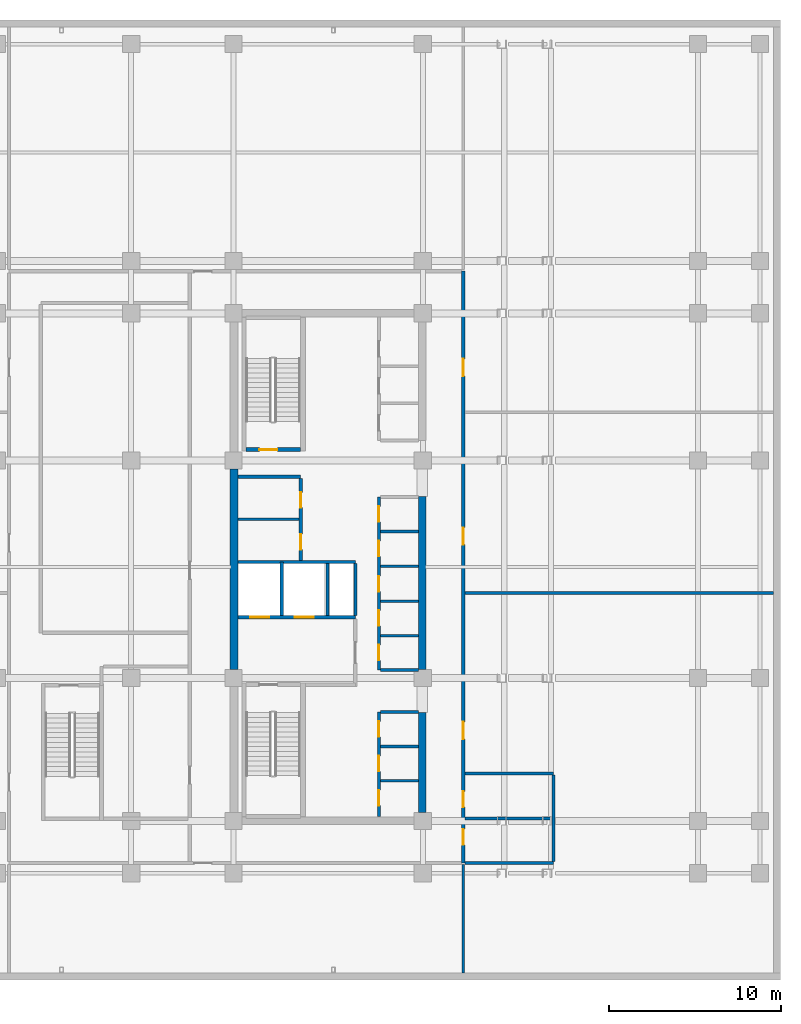
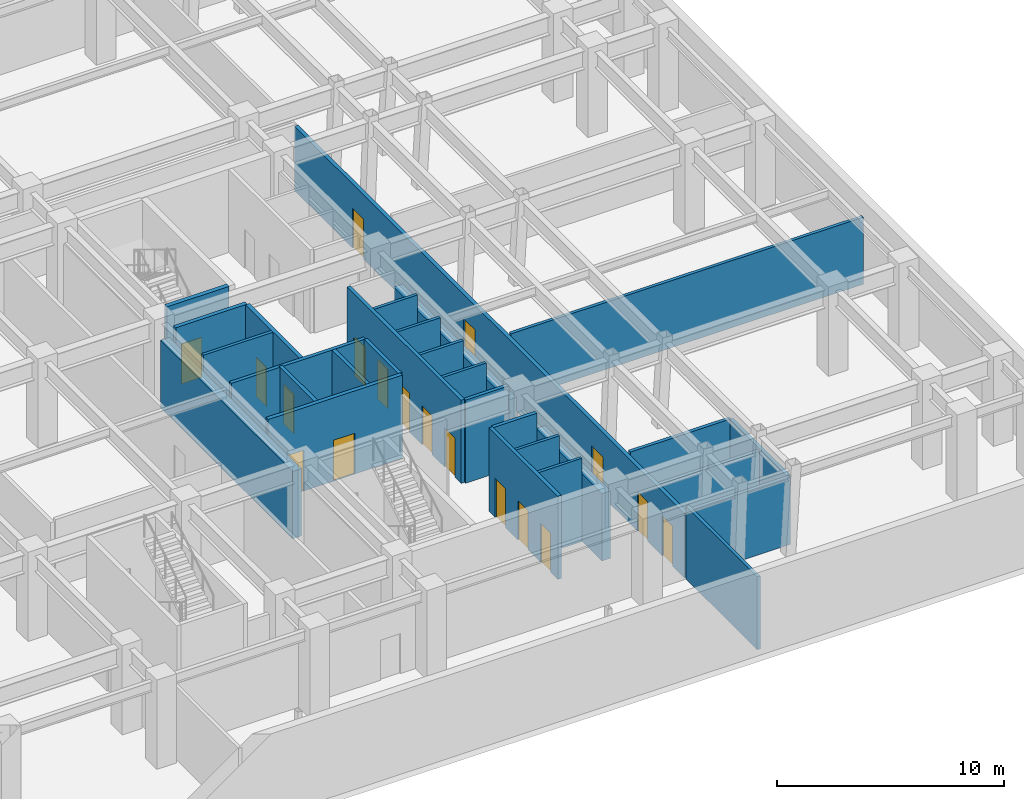
# One storey, part 7 of 9: 29 walls, 18 doors, 18 openings.
"""IFC4 building model written with IfcOpenShell, lengths in metres."""

from ifc_helpers import new_model, si_unit, direction, frame, frame_2d, origin, place, context, subcontext, project, spatial, rectangle, extrude, material, layer, layer_set, type_object, element, fill, save


model = new_model("IFC4")

# Units and contexts
model_context = context("Model", 3, precision=1e-05, world=origin(), true_north=direction((0.0, 1.0)))
body_context = subcontext(model_context, "Body", "Model", "MODEL_VIEW")
ifc_project = project(units=[si_unit("LENGTHUNIT", "METRE"), si_unit("AREAUNIT", "SQUARE_METRE"), si_unit("VOLUMEUNIT", "CUBIC_METRE"), si_unit("PLANEANGLEUNIT", "RADIAN"), si_unit("MASSUNIT", "GRAM", prefix="KILO")], contexts=[model_context])

# Site, building, storey
site_placement = place(None, origin())
site = spatial("IfcSite", under=ifc_project, at=site_placement, CompositionType="ELEMENT")
building_placement = place(site_placement, origin())
building = spatial("IfcBuilding", under=site, at=building_placement, Name="Ochreholt Gables", CompositionType="ELEMENT")
storey_placement = place(building_placement, frame((0.0, 0.0, -4.800048828125)))
storey = spatial("IfcBuildingStorey", under=building, at=storey_placement, Name="B1", CompositionType="ELEMENT", Elevation=-4.800048828125)

# Walls
ifc_material_1 = material(Name="Concrete 60 MPa", Category="concrete")
ifc_layer_1 = layer(ifc_material_1, 0.449951171875, Name="Concrete 60 MPa")
ifc_layer_set_1 = layer_set([ifc_layer_1], Name="Concrete 60 MPa")
wall_type_1 = type_object("IfcWallType", Name="WALL-CSW-450", PredefinedType="SHEAR", material=ifc_layer_set_1)
wall_1_placement = place(storey_placement, frame((24.22509765625, 18.050048828125, 0.0), z_axis=(0.0, 0.0, 1.0), x_axis=(0.0, 1.0, 0.0)))
element("IfcWall", 1, at=wall_1_placement, inside=storey, type_object=wall_type_1, Name="B1 Core West Shear Wall WM", PredefinedType="SHEAR", context=body_context, shape_type="SweptSolid", body=[
    extrude(rectangle(XDim=11.64990234375, YDim=0.449951171875, at=frame_2d((5.824951171875, 0.0))), origin(), (0.0, 0.0, 1.0), 3.629150390625),
])
wall_2_placement = place(storey_placement, frame((35.175048828125, 9.75, 0.0), z_axis=(0.0, 0.0, 1.0), x_axis=(0.0, 1.0, 0.0)))
element("IfcWall", 2, at=wall_2_placement, inside=storey, type_object=wall_type_1, Name="B1 Core South-East Shear Wall", PredefinedType="SHEAR", context=body_context, shape_type="SweptSolid", body=[
    extrude(rectangle(XDim=5.800048828125, YDim=0.449951171875, at=frame_2d((2.89990234375, 0.0))), origin(), (0.0, 0.0, 1.0), 3.629150390625),
])
wall_3_placement = place(storey_placement, frame((35.175048828125, 18.050048828125, 0.0), z_axis=(0.0, 0.0, 1.0), x_axis=(0.0, 1.0, 0.0)))
element("IfcWall", 3, at=wall_3_placement, inside=storey, type_object=wall_type_1, Name="B1 Core Central-East Shear Wall", PredefinedType="SHEAR", context=body_context, shape_type="SweptSolid", body=[
    extrude(rectangle(XDim=10.050048828125, YDim=0.449951171875, at=frame_2d((5.02490234375, 0.0))), origin(), (0.0, 0.0, 1.0), 3.629150390625),
])

# Wall, openings, doors
ifc_material_2 = material(Name="Concrete 40 MPa", Category="concrete")
ifc_layer_2 = layer(ifc_material_2, 0.199951171875, Name="Concrete 40 MPa")
ifc_layer_set_2 = layer_set([ifc_layer_2], Name="Concrete 40 MPa")
wall_type_2 = type_object("IfcWallType", Name="WALL-INT-CF200", PredefinedType="STANDARD", material=ifc_layer_set_2)
wall_4_placement = place(storey_placement, frame((24.449951171875, 21.090087890625, 0.0), z_axis=(0.0, 0.0, 1.0), x_axis=(1.0, 0.0, 0.0)))
wall_4 = element("IfcWall", 4, at=wall_4_placement, inside=storey, type_object=wall_type_2, Name="B1 Interior Wall WI-FFN-B1", PredefinedType="STANDARD", context=body_context, shape_type="SweptSolid", body=[
    extrude(rectangle(XDim=6.830078125, YDim=0.199951171875, at=frame_2d((3.4150390625, 0.0))), origin(), (0.0, 0.0, 1.0), 4.47998046875),
])
opening_1_placement = place(wall_4_placement, frame((0.719970703125, 0.0, 0.0)))
opening_1 = element("IfcOpeningElement", 5, at=opening_1_placement, cuts=wall_4, Name="Opening LD-FF", PredefinedType="OPENING", context=body_context, shape_type="SweptSolid", body=[
    extrude(rectangle(XDim=1.10009765625, YDim=2.199951171875, at=frame_2d((0.550048828125, 1.10009765625))), frame((0.0, 0.10986328125, 0.0), z_axis=(0.0, -1.0, 0.0), x_axis=(1.0, 0.0, 0.0)), (0.0, 0.0, 1.0), 0.219970703125),
])
opening_2_placement = place(wall_4_placement, frame((3.320068359375, 0.0, 0.0)))
opening_2 = element("IfcOpeningElement", 6, at=opening_2_placement, cuts=wall_4, Name="Opening LD-FF", PredefinedType="OPENING", context=body_context, shape_type="SweptSolid", body=[
    extrude(rectangle(XDim=1.10009765625, YDim=2.199951171875, at=frame_2d((0.550048828125, 1.10009765625))), frame((0.0, 0.10986328125, 0.0), z_axis=(0.0, -1.0, 0.0), x_axis=(1.0, 0.0, 0.0)), (0.0, 0.0, 1.0), 0.219970703125),
])
ifc_material_3 = material(Name="Stainless Steel", Category="steel")
door_type_1 = type_object("IfcDoorType", Name="DR-LFT-FF1100", OperationType="NOTDEFINED", PredefinedType="DOOR", material=ifc_material_3)
door_1_placement = place(opening_1_placement, origin())
door_1 = element("IfcDoor", 7, at=door_1_placement, inside=storey, type_object=door_type_1, Name="B1 Door LD-FF1-B1", OperationType="SLIDING_TO_LEFT", OverallHeight=2.199951171875, OverallWidth=1.10009765625, PredefinedType="DOOR", context=body_context, shape_type="SweptSolid", body=[
    extrude(rectangle(XDim=1.10009765625, YDim=2.199951171875, at=frame_2d((0.550048828125, 1.10009765625))), frame((0.0, 0.02490234375, 0.0), z_axis=(0.0, -1.0, 0.0), x_axis=(1.0, 0.0, 0.0)), (0.0, 0.0, 1.0), 0.050048828125),
])
fill(opening_1, door_1)
door_2_placement = place(opening_2_placement, origin())
door_2 = element("IfcDoor", 8, at=door_2_placement, inside=storey, type_object=door_type_1, Name="B1 Door LD-FF2-B1", OperationType="SLIDING_TO_LEFT", OverallHeight=2.199951171875, OverallWidth=1.10009765625, PredefinedType="DOOR", context=body_context, shape_type="SweptSolid", body=[
    extrude(rectangle(XDim=1.10009765625, YDim=2.199951171875, at=frame_2d((0.550048828125, 1.10009765625))), frame((0.0, 0.02490234375, 0.0), z_axis=(0.0, -1.0, 0.0), x_axis=(1.0, 0.0, 0.0)), (0.0, 0.0, 1.0), 0.050048828125),
])
fill(opening_2, door_2)

# Wall
wall_5_placement = place(storey_placement, frame((24.449951171875, 29.239990234375, 0.0), z_axis=(0.0, 0.0, 1.0), x_axis=(1.0, 0.0, 0.0)))
element("IfcWall", 9, at=wall_5_placement, inside=storey, type_object=wall_type_2, Name="B1 Interior Wall WI-SRVN-B1", PredefinedType="STANDARD", context=body_context, shape_type="SweptSolid", body=[
    extrude(rectangle(XDim=3.650146484375, YDim=0.199951171875, at=frame_2d((1.8251953125, 0.0))), origin(), (0.0, 0.0, 1.0), 4.47998046875),
])

# Wall, openings, doors
wall_6_placement = place(storey_placement, frame((28.10009765625, 24.389892578125, 0.0), z_axis=(0.0, 0.0, 1.0), x_axis=(0.0, 1.0, 0.0)))
wall_6 = element("IfcWall", 10, at=wall_6_placement, inside=storey, type_object=wall_type_2, Name="B1 Interior Wall WI-SRVE-B1", PredefinedType="STANDARD", context=body_context, shape_type="SweptSolid", body=[
    extrude(rectangle(XDim=4.75, YDim=0.199951171875, at=frame_2d((2.375, 0.0))), origin(), (0.0, 0.0, 1.0), 4.47998046875),
])
opening_3_placement = place(wall_6_placement, frame((0.6298828125, 0.0, 0.0)))
opening_3 = element("IfcOpeningElement", 11, at=opening_3_placement, cuts=wall_6, Name="Opening D-SV1", PredefinedType="OPENING", context=body_context, shape_type="SweptSolid", body=[
    extrude(rectangle(XDim=0.89990234375, YDim=2.10009765625, at=frame_2d((0.449951171875, 1.050048828125))), frame((0.0, 0.10986328125, 0.0), z_axis=(0.0, -1.0, 0.0), x_axis=(1.0, 0.0, 0.0)), (0.0, 0.0, 1.0), 0.219970703125),
])
opening_4_placement = place(wall_6_placement, frame((3.06005859375, 0.0, 0.0)))
opening_4 = element("IfcOpeningElement", 12, at=opening_4_placement, cuts=wall_6, Name="Opening D-SV1", PredefinedType="OPENING", context=body_context, shape_type="SweptSolid", body=[
    extrude(rectangle(XDim=0.89990234375, YDim=2.10009765625, at=frame_2d((0.449951171875, 1.050048828125))), frame((0.0, 0.10986328125, 0.0), z_axis=(0.0, -1.0, 0.0), x_axis=(1.0, 0.0, 0.0)), (0.0, 0.0, 1.0), 0.219970703125),
])
ifc_material_4 = material(Name="Hollow Metal Steel", Category="steel")
door_type_2 = type_object("IfcDoorType", Name="DR-INT-SRV900", OperationType="NOTDEFINED", PredefinedType="DOOR", material=ifc_material_4)
door_3_placement = place(opening_3_placement, origin())
door_3 = element("IfcDoor", 13, at=door_3_placement, inside=storey, type_object=door_type_2, Name="B1 Door D-SRV1-B1", OperationType="SINGLE_SWING_LEFT", OverallHeight=2.10009765625, OverallWidth=0.89990234375, PredefinedType="DOOR", context=body_context, shape_type="SweptSolid", body=[
    extrude(rectangle(XDim=0.89990234375, YDim=2.10009765625, at=frame_2d((0.449951171875, 1.050048828125))), frame((0.0, 0.02490234375, 0.0), z_axis=(0.0, -1.0, 0.0), x_axis=(1.0, 0.0, 0.0)), (0.0, 0.0, 1.0), 0.050048828125),
])
fill(opening_3, door_3)
door_4_placement = place(opening_4_placement, origin())
door_4 = element("IfcDoor", 14, at=door_4_placement, inside=storey, type_object=door_type_2, Name="B1 Door D-SRV2-B1", OperationType="SINGLE_SWING_RIGHT", OverallHeight=2.10009765625, OverallWidth=0.89990234375, PredefinedType="DOOR", context=body_context, shape_type="SweptSolid", body=[
    extrude(rectangle(XDim=0.89990234375, YDim=2.10009765625, at=frame_2d((0.449951171875, 1.050048828125))), frame((0.0, 0.02490234375, 0.0), z_axis=(0.0, -1.0, 0.0), x_axis=(1.0, 0.0, 0.0)), (0.0, 0.0, 1.0), 0.050048828125),
])
fill(opening_4, door_4)

ifc_material_5 = material(Name="Fire-Rated Gypsum Acoustic Partition", Category="gypsum")
ifc_layer_3 = layer(ifc_material_5, 0.18994140625, Name="Fire-Rated Gypsum Acoustic Partition")
ifc_layer_set_3 = layer_set([ifc_layer_3], Name="Fire-Rated Gypsum Acoustic Partition")
wall_type_3 = type_object("IfcWallType", Name="WALL-INT-CR190", PredefinedType="STANDARD", material=ifc_layer_set_3)
wall_7_placement = place(storey_placement, frame((37.550048828125, 6.800048828125, 0.0), z_axis=(0.0, 0.0, 1.0), x_axis=(0.0, 1.0, 0.0)))
wall_7 = element("IfcWall", 15, at=wall_7_placement, inside=storey, type_object=wall_type_3, Name="B1 Interior Wall WI-BCE-B1", PredefinedType="STANDARD", context=body_context, shape_type="SweptSolid", body=[
    extrude(rectangle(XDim=34.39990234375, YDim=0.18994140625, at=frame_2d((17.199951171875, 0.0))), origin(), (0.0, 0.0, 1.0), 3.462158203125),
])
opening_5_placement = place(wall_7_placement, frame((1.050048828125, 0.0, 0.0)))
opening_5 = element("IfcOpeningElement", 16, at=opening_5_placement, cuts=wall_7, Name="Opening D-WC1", PredefinedType="OPENING", context=body_context, shape_type="SweptSolid", body=[
    extrude(rectangle(XDim=0.919921875, YDim=2.139892578125, at=frame_2d((0.4599609375, 1.06982421875))), frame((0.0, 0.10498046875, 0.0), z_axis=(0.0, -1.0, 0.0), x_axis=(1.0, 0.0, 0.0)), (0.0, 0.0, 1.0), 0.2099609375),
])
opening_6_placement = place(wall_7_placement, frame((3.25, 0.0, 0.0)))
opening_6 = element("IfcOpeningElement", 17, at=opening_6_placement, cuts=wall_7, Name="Opening D-WC1", PredefinedType="OPENING", context=body_context, shape_type="SweptSolid", body=[
    extrude(rectangle(XDim=0.919921875, YDim=2.139892578125, at=frame_2d((0.4599609375, 1.06982421875))), frame((0.0, 0.10498046875, 0.0), z_axis=(0.0, -1.0, 0.0), x_axis=(1.0, 0.0, 0.0)), (0.0, 0.0, 1.0), 0.2099609375),
])
opening_7_placement = place(wall_7_placement, frame((7.199951171875, 0.0, 0.0)))
opening_7 = element("IfcOpeningElement", 18, at=opening_7_placement, cuts=wall_7, Name="Opening D-SV3", PredefinedType="OPENING", context=body_context, shape_type="SweptSolid", body=[
    extrude(rectangle(XDim=1.0, YDim=2.14990234375, at=frame_2d((0.5, 1.074951171875))), frame((0.0, 0.10498046875, 0.0), z_axis=(0.0, -1.0, 0.0), x_axis=(1.0, 0.0, 0.0)), (0.0, 0.0, 1.0), 0.2099609375),
])
opening_8_placement = place(wall_7_placement, frame((18.5, 0.0, 0.0)))
opening_8 = element("IfcOpeningElement", 19, at=opening_8_placement, cuts=wall_7, Name="Opening D-SV3", PredefinedType="OPENING", context=body_context, shape_type="SweptSolid", body=[
    extrude(rectangle(XDim=1.0, YDim=2.14990234375, at=frame_2d((0.5, 1.074951171875))), frame((0.0, 0.10498046875, 0.0), z_axis=(0.0, -1.0, 0.0), x_axis=(1.0, 0.0, 0.0)), (0.0, 0.0, 1.0), 0.2099609375),
])
opening_9_placement = place(wall_7_placement, frame((28.300048828125, 0.0, 0.0)))
opening_9 = element("IfcOpeningElement", 20, at=opening_9_placement, cuts=wall_7, Name="Opening D-SV3", PredefinedType="OPENING", context=body_context, shape_type="SweptSolid", body=[
    extrude(rectangle(XDim=1.0, YDim=2.14990234375, at=frame_2d((0.5, 1.074951171875))), frame((0.0, 0.10498046875, 0.0), z_axis=(0.0, -1.0, 0.0), x_axis=(1.0, 0.0, 0.0)), (0.0, 0.0, 1.0), 0.2099609375),
])
door_type_3 = type_object("IfcDoorType", Name="DR-INT-SRV1000", OperationType="NOTDEFINED", PredefinedType="DOOR", material=ifc_material_4)
door_5_placement = place(opening_7_placement, origin())
door_5 = element("IfcDoor", 21, at=door_5_placement, inside=storey, type_object=door_type_3, Name="B1 Door D-BM6-B1", OperationType="SINGLE_SWING_LEFT", OverallHeight=2.14990234375, OverallWidth=1.0, PredefinedType="DOOR", context=body_context, shape_type="SweptSolid", body=[
    extrude(rectangle(XDim=1.0, YDim=2.14990234375, at=frame_2d((0.5, 1.074951171875))), frame((0.0, 0.02490234375, 0.0), z_axis=(0.0, -1.0, 0.0), x_axis=(1.0, 0.0, 0.0)), (0.0, 0.0, 1.0), 0.050048828125),
])
fill(opening_7, door_5)
door_6_placement = place(opening_8_placement, origin())
door_6 = element("IfcDoor", 22, at=door_6_placement, inside=storey, type_object=door_type_3, Name="B1 Door D-BM7-B1", OperationType="SINGLE_SWING_RIGHT", OverallHeight=2.14990234375, OverallWidth=1.0, PredefinedType="DOOR", context=body_context, shape_type="SweptSolid", body=[
    extrude(rectangle(XDim=1.0, YDim=2.14990234375, at=frame_2d((0.5, 1.074951171875))), frame((0.0, 0.02490234375, 0.0), z_axis=(0.0, -1.0, 0.0), x_axis=(1.0, 0.0, 0.0)), (0.0, 0.0, 1.0), 0.050048828125),
])
fill(opening_8, door_6)
door_7_placement = place(opening_9_placement, origin())
door_7 = element("IfcDoor", 23, at=door_7_placement, inside=storey, type_object=door_type_3, Name="B1 Door D-BM8-B1", OperationType="SINGLE_SWING_LEFT", OverallHeight=2.14990234375, OverallWidth=1.0, PredefinedType="DOOR", context=body_context, shape_type="SweptSolid", body=[
    extrude(rectangle(XDim=1.0, YDim=2.14990234375, at=frame_2d((0.5, 1.074951171875))), frame((0.0, 0.02490234375, 0.0), z_axis=(0.0, -1.0, 0.0), x_axis=(1.0, 0.0, 0.0)), (0.0, 0.0, 1.0), 0.050048828125),
])
fill(opening_9, door_7)
ifc_material_6 = material(Name="Engineered Oak Timber", Category="wood")
door_type_4 = type_object("IfcDoorType", Name="DR-INT-WC920", OperationType="NOTDEFINED", PredefinedType="DOOR", material=ifc_material_6)
door_8_placement = place(opening_5_placement, origin())
door_8 = element("IfcDoor", 24, at=door_8_placement, inside=storey, type_object=door_type_4, Name="B1 Door D-BWC1-B1", OperationType="SINGLE_SWING_LEFT", OverallHeight=2.139892578125, OverallWidth=0.919921875, PredefinedType="DOOR", context=body_context, shape_type="SweptSolid", body=[
    extrude(rectangle(XDim=0.919921875, YDim=2.139892578125, at=frame_2d((0.4599609375, 1.06982421875))), frame((0.0, 0.02490234375, 0.0), z_axis=(0.0, -1.0, 0.0), x_axis=(1.0, 0.0, 0.0)), (0.0, 0.0, 1.0), 0.050048828125),
])
fill(opening_5, door_8)
door_9_placement = place(opening_6_placement, origin())
door_9 = element("IfcDoor", 25, at=door_9_placement, inside=storey, type_object=door_type_4, Name="B1 Door D-BWC2-B1", OperationType="SINGLE_SWING_RIGHT", OverallHeight=2.139892578125, OverallWidth=0.919921875, PredefinedType="DOOR", context=body_context, shape_type="SweptSolid", body=[
    extrude(rectangle(XDim=0.919921875, YDim=2.139892578125, at=frame_2d((0.4599609375, 1.06982421875))), frame((0.0, 0.02490234375, 0.0), z_axis=(0.0, -1.0, 0.0), x_axis=(1.0, 0.0, 0.0)), (0.0, 0.0, 1.0), 0.050048828125),
])
fill(opening_6, door_9)

# Walls
ifc_material_7 = material(Name="Moisture-Resistant Plumbing Chase Wall", Category="gypsum")
ifc_layer_4 = layer(ifc_material_7, 0.175048828125, Name="Moisture-Resistant Plumbing Chase Wall")
ifc_layer_set_4 = layer_set([ifc_layer_4], Name="Moisture-Resistant Plumbing Chase Wall")
wall_type_4 = type_object("IfcWallType", Name="WALL-INT-PL175", PredefinedType="PLUMBINGWALL", material=ifc_layer_set_4)
for number, where, z_axis, x_axis, name in (
    (26, (37.64501953125, 6.800048828125, 0.0), (0.0, 0.0, 1.0), (1.0, 0.0, 0.0), "B1 Interior Wall WI-BWC0-B1"),
    (27, (37.64501953125, 12.0, 0.0), (0.0, 0.0, 1.0), (1.0, 0.0, 0.0), "B1 Interior Wall WI-BWC1-B1"),
):
    element("IfcWall", number, at=place(storey_placement, frame(where, z_axis=z_axis, x_axis=x_axis)), inside=storey, type_object=wall_type_4, Name=name, PredefinedType="PLUMBINGWALL", context=body_context, shape_type="SweptSolid", body=[
        extrude(rectangle(XDim=5.155029296875, YDim=0.175048828125, at=frame_2d((2.57763671875, 0.0))), origin(), (0.0, 0.0, 1.0), 3.611083984375),
    ])
wall_8_placement = place(storey_placement, frame((37.64501953125, 9.39990234375, 0.0), z_axis=(0.0, 0.0, 1.0), x_axis=(1.0, 0.0, 0.0)))
element("IfcWall", 28, at=wall_8_placement, inside=storey, type_object=wall_type_4, Name="B1 Interior Wall WI-BWC2-B1", PredefinedType="PLUMBINGWALL", context=body_context, shape_type="SweptSolid", body=[
    extrude(rectangle(XDim=5.155029296875, YDim=0.175048828125, at=frame_2d((2.57763671875, 0.0))), origin(), (0.0, 0.0, 1.0), 3.462158203125),
])
wall_9_placement = place(storey_placement, frame((42.800048828125, 6.887451171875, 0.0), z_axis=(0.0, 0.0, 1.0), x_axis=(0.0, 1.0, 0.0)))
element("IfcWall", 29, at=wall_9_placement, inside=storey, type_object=wall_type_4, Name="B1 Interior Wall WI-BWC3-B1", PredefinedType="PLUMBINGWALL", context=body_context, shape_type="SweptSolid", body=[
    extrude(rectangle(XDim=5.025146484375, YDim=0.175048828125, at=frame_2d((2.5126953125, 0.0))), origin(), (0.0, 0.0, 1.0), 3.611083984375),
])
ifc_material_8 = material(Name="Gypsum Acoustic Stud Partition", Category="gypsum")
ifc_layer_5 = layer(ifc_material_8, 0.159912109375, Name="Gypsum Acoustic Stud Partition")
ifc_layer_set_5 = layer_set([ifc_layer_5], Name="Gypsum Acoustic Stud Partition")
wall_type_5 = type_object("IfcWallType", Name="WALL-INT-PT160", PredefinedType="PARTITIONING", material=ifc_layer_set_5)
wall_10_placement = place(storey_placement, frame((24.449951171875, 26.780029296875, 0.0), z_axis=(0.0, 0.0, 1.0), x_axis=(1.0, 0.0, 0.0)))
element("IfcWall", 30, at=wall_10_placement, inside=storey, type_object=wall_type_5, Name="B1 Interior Wall WI-SRVP1-B1", PredefinedType="PARTITIONING", context=body_context, shape_type="SweptSolid", body=[
    extrude(rectangle(XDim=3.550048828125, YDim=0.159912109375, at=frame_2d((1.77490234375, 0.0))), origin(), (0.0, 0.0, 1.0), 4.47998046875),
])
wall_11_placement = place(storey_placement, frame((37.550048828125, 0.419921875, 0.0), z_axis=(0.0, 0.0, 1.0), x_axis=(0.0, 1.0, 0.0)))
element("IfcWall", 31, at=wall_11_placement, inside=storey, type_object=wall_type_5, Name="B1 Interior Wall WI-BCES-B1", PredefinedType="PARTITIONING", context=body_context, shape_type="SweptSolid", body=[
    extrude(rectangle(XDim=6.28515625, YDim=0.159912109375, at=frame_2d((3.142578125, 0.0))), origin(), (0.0, 0.0, 1.0), 3.928955078125),
])
wall_12_placement = place(storey_placement, frame((37.64501953125, 22.5, 0.0), z_axis=(0.0, 0.0, 1.0), x_axis=(1.0, 0.0, 0.0)))
element("IfcWall", 32, at=wall_12_placement, inside=storey, type_object=wall_type_5, Name="B1 Interior Wall WI-BE1-B1", PredefinedType="PARTITIONING", context=body_context, shape_type="SweptSolid", body=[
    extrude(rectangle(XDim=17.93505859375, YDim=0.159912109375, at=frame_2d((8.967529296875, 0.0))), origin(), (0.0, 0.0, 1.0), 3.611083984375),
])
ifc_material_9 = material(Name="Gypsum Shaftliner and Steel Stud", Category="steel")
ifc_layer_6 = layer(ifc_material_9, 0.14990234375, Name="Gypsum Shaftliner and Steel Stud")
ifc_layer_set_6 = layer_set([ifc_layer_6], Name="Gypsum Shaftliner and Steel Stud")
wall_type_6 = type_object("IfcWallType", Name="WALL-INT-SH150", PredefinedType="STANDARD", material=ifc_layer_set_6)
for number, where, z_axis, x_axis, name in (
    (33, (32.739990234375, 11.570068359375, 0.0), (0.0, 0.0, 1.0), (1.0, 0.0, 0.0), "B1 Interior Wall WI-LFL-D1-B1"),
    (34, (32.739990234375, 13.570068359375, 0.0), (0.0, 0.0, 1.0), (1.0, 0.0, 0.0), "B1 Interior Wall WI-LFL-D2-B1"),
    (35, (32.739990234375, 20.02001953125, 0.0), (0.0, 0.0, 1.0), (1.0, 0.0, 0.0), "B1 Interior Wall WI-LFHE-DH1-B1"),
    (36, (32.739990234375, 22.02001953125, 0.0), (0.0, 0.0, 1.0), (1.0, 0.0, 0.0), "B1 Interior Wall WI-LFHE-DH2-B1"),
    (37, (32.739990234375, 24.050048828125, 0.0), (0.0, 0.0, 1.0), (1.0, 0.0, 0.0), "B1 Interior Wall WI-LFHE-DHE-B1"),
    (38, (32.739990234375, 26.070068359375, 0.0), (0.0, 0.0, 1.0), (1.0, 0.0, 0.0), "B1 Interior Wall WI-LFHE-DEX1-B1"),
):
    element("IfcWall", number, at=place(storey_placement, frame(where, z_axis=z_axis, x_axis=x_axis)), inside=storey, type_object=wall_type_6, Name=name, PredefinedType="STANDARD", context=body_context, shape_type="SweptSolid", body=[
        extrude(rectangle(XDim=2.2099609375, YDim=0.14990234375, at=frame_2d((1.10498046875, 0.0))), origin(), (0.0, 0.0, 1.0), 4.47998046875),
    ])
ifc_layer_7 = layer(ifc_material_9, 0.179931640625, Name="Gypsum Shaftliner and Steel Stud")
ifc_layer_set_7 = layer_set([ifc_layer_7], Name="Gypsum Shaftliner and Steel Stud")
wall_type_7 = type_object("IfcWallType", Name="WALL-INT-SH180", PredefinedType="STANDARD", material=ifc_layer_set_7)
wall_13_placement = place(storey_placement, frame((27.0, 21.18994140625, 0.0), z_axis=(0.0, 0.0, 1.0), x_axis=(0.0, 1.0, 0.0)))
element("IfcWall", 39, at=wall_13_placement, inside=storey, type_object=wall_type_7, Name="B1 Interior Wall WI-FFDIV-B1", PredefinedType="STANDARD", context=body_context, shape_type="SweptSolid", body=[
    extrude(rectangle(XDim=3.110107421875, YDim=0.179931640625, at=frame_2d((1.55517578125, 0.0))), origin(), (0.0, 0.0, 1.0), 4.47998046875),
])
wall_14_placement = place(storey_placement, frame((24.449951171875, 24.300048828125, 0.0), z_axis=(0.0, 0.0, 1.0), x_axis=(1.0, 0.0, 0.0)))
element("IfcWall", 40, at=wall_14_placement, inside=storey, type_object=wall_type_7, Name="B1 Interior Wall WI-FFBK-B1", PredefinedType="STANDARD", context=body_context, shape_type="SweptSolid", body=[
    extrude(rectangle(XDim=6.830078125, YDim=0.179931640625, at=frame_2d((3.4150390625, 0.0))), origin(), (0.0, 0.0, 1.0), 4.47998046875),
])
for number, where, z_axis, x_axis, name in (
    (41, (29.64990234375, 21.18994140625, 0.0), (0.0, 0.0, 1.0), (0.0, 1.0, 0.0), "B1 Interior Wall WI-FFSH-B1"),
    (42, (31.280029296875, 21.18994140625, 0.0), (0.0, 0.0, 1.0), (0.0, 1.0, 0.0), "B1 Interior Wall WI-RSE-B1"),
):
    element("IfcWall", number, at=place(storey_placement, frame(where, z_axis=z_axis, x_axis=x_axis)), inside=storey, type_object=wall_type_7, Name=name, PredefinedType="STANDARD", context=body_context, shape_type="SweptSolid", body=[
        extrude(rectangle(XDim=3.02001953125, YDim=0.179931640625, at=frame_2d((1.510009765625, 0.0))), origin(), (0.0, 0.0, 1.0), 4.47998046875),
    ])

# Wall, openings, doors
wall_15_placement = place(storey_placement, frame((32.64990234375, 9.5, 0.0), z_axis=(0.0, 0.0, 1.0), x_axis=(0.0, 1.0, 0.0)))
wall_15 = element("IfcWall", 43, at=wall_15_placement, inside=storey, type_object=wall_type_7, Name="B1 Interior Wall WI-LFL-FR-B1", PredefinedType="STANDARD", context=body_context, shape_type="SweptSolid", body=[
    extrude(rectangle(XDim=6.080078125, YDim=0.179931640625, at=frame_2d((3.0400390625, 0.0))), origin(), (0.0, 0.0, 1.0), 4.47998046875),
])
opening_10_placement = place(wall_15_placement, frame((0.6298828125, 0.0, 0.0)))
opening_10 = element("IfcOpeningElement", 44, at=opening_10_placement, cuts=wall_15, Name="Opening D-SV1", PredefinedType="OPENING", context=body_context, shape_type="SweptSolid", body=[
    extrude(rectangle(XDim=0.89990234375, YDim=2.10009765625, at=frame_2d((0.449951171875, 1.050048828125))), frame((0.0, 0.099853515625, 0.0), z_axis=(0.0, -1.0, 0.0), x_axis=(1.0, 0.0, 0.0)), (0.0, 0.0, 1.0), 0.199951171875),
])
opening_11_placement = place(wall_15_placement, frame((2.6298828125, 0.0, 0.0)))
opening_11 = element("IfcOpeningElement", 45, at=opening_11_placement, cuts=wall_15, Name="Opening D-SV1", PredefinedType="OPENING", context=body_context, shape_type="SweptSolid", body=[
    extrude(rectangle(XDim=0.89990234375, YDim=2.10009765625, at=frame_2d((0.449951171875, 1.050048828125))), frame((0.0, 0.099853515625, 0.0), z_axis=(0.0, -1.0, 0.0), x_axis=(1.0, 0.0, 0.0)), (0.0, 0.0, 1.0), 0.199951171875),
])
opening_12_placement = place(wall_15_placement, frame((4.6298828125, 0.0, 0.0)))
opening_12 = element("IfcOpeningElement", 46, at=opening_12_placement, cuts=wall_15, Name="Opening D-SV1", PredefinedType="OPENING", context=body_context, shape_type="SweptSolid", body=[
    extrude(rectangle(XDim=0.89990234375, YDim=2.10009765625, at=frame_2d((0.449951171875, 1.050048828125))), frame((0.0, 0.099853515625, 0.0), z_axis=(0.0, -1.0, 0.0), x_axis=(1.0, 0.0, 0.0)), (0.0, 0.0, 1.0), 0.199951171875),
])
door_10_placement = place(opening_10_placement, origin())
door_10 = element("IfcDoor", 47, at=door_10_placement, inside=storey, type_object=door_type_2, Name="B1 Door D-LCST1-B1", OperationType="SINGLE_SWING_LEFT", OverallHeight=2.10009765625, OverallWidth=0.89990234375, PredefinedType="DOOR", context=body_context, shape_type="SweptSolid", body=[
    extrude(rectangle(XDim=0.89990234375, YDim=2.10009765625, at=frame_2d((0.449951171875, 1.050048828125))), frame((0.0, 0.02490234375, 0.0), z_axis=(0.0, -1.0, 0.0), x_axis=(1.0, 0.0, 0.0)), (0.0, 0.0, 1.0), 0.050048828125),
])
fill(opening_10, door_10)
door_11_placement = place(opening_11_placement, origin())
door_11 = element("IfcDoor", 48, at=door_11_placement, inside=storey, type_object=door_type_2, Name="B1 Door D-LCST2-B1", OperationType="SINGLE_SWING_LEFT", OverallHeight=2.10009765625, OverallWidth=0.89990234375, PredefinedType="DOOR", context=body_context, shape_type="SweptSolid", body=[
    extrude(rectangle(XDim=0.89990234375, YDim=2.10009765625, at=frame_2d((0.449951171875, 1.050048828125))), frame((0.0, 0.02490234375, 0.0), z_axis=(0.0, -1.0, 0.0), x_axis=(1.0, 0.0, 0.0)), (0.0, 0.0, 1.0), 0.050048828125),
])
fill(opening_11, door_11)
door_12_placement = place(opening_12_placement, origin())
door_12 = element("IfcDoor", 49, at=door_12_placement, inside=storey, type_object=door_type_2, Name="B1 Door D-LCST3-B1", OperationType="SINGLE_SWING_LEFT", OverallHeight=2.10009765625, OverallWidth=0.89990234375, PredefinedType="DOOR", context=body_context, shape_type="SweptSolid", body=[
    extrude(rectangle(XDim=0.89990234375, YDim=2.10009765625, at=frame_2d((0.449951171875, 1.050048828125))), frame((0.0, 0.02490234375, 0.0), z_axis=(0.0, -1.0, 0.0), x_axis=(1.0, 0.0, 0.0)), (0.0, 0.0, 1.0), 0.050048828125),
])
fill(opening_12, door_12)

# Wall
wall_16_placement = place(storey_placement, frame((32.739990234375, 15.580078125, 0.0), z_axis=(0.0, 0.0, 1.0), x_axis=(1.0, 0.0, 0.0)))
element("IfcWall", 50, at=wall_16_placement, inside=storey, type_object=wall_type_7, Name="B1 Interior Wall WI-LFL-N-B1", PredefinedType="STANDARD", context=body_context, shape_type="SweptSolid", body=[
    extrude(rectangle(XDim=2.2099609375, YDim=0.179931640625, at=frame_2d((1.10498046875, 0.0))), origin(), (0.0, 0.0, 1.0), 4.47998046875),
])

# Wall, openings, doors
wall_17_placement = place(storey_placement, frame((32.64990234375, 18.02001953125, 0.0), z_axis=(0.0, 0.0, 1.0), x_axis=(0.0, 1.0, 0.0)))
wall_17 = element("IfcWall", 51, at=wall_17_placement, inside=storey, type_object=wall_type_7, Name="B1 Interior Wall WI-LFHE-FR-B1", PredefinedType="STANDARD", context=body_context, shape_type="SweptSolid", body=[
    extrude(rectangle(XDim=10.06005859375, YDim=0.179931640625, at=frame_2d((5.030029296875, 0.0))), origin(), (0.0, 0.0, 1.0), 4.47998046875),
])
opening_13_placement = place(wall_17_placement, frame((0.56005859375, 0.0, 0.0)))
opening_13 = element("IfcOpeningElement", 52, at=opening_13_placement, cuts=wall_17, Name="Opening D-SV1", PredefinedType="OPENING", context=body_context, shape_type="SweptSolid", body=[
    extrude(rectangle(XDim=0.89990234375, YDim=2.10009765625, at=frame_2d((0.449951171875, 1.050048828125))), frame((0.0, 0.099853515625, 0.0), z_axis=(0.0, -1.0, 0.0), x_axis=(1.0, 0.0, 0.0)), (0.0, 0.0, 1.0), 0.199951171875),
])
opening_14_placement = place(wall_17_placement, frame((2.56005859375, 0.0, 0.0)))
opening_14 = element("IfcOpeningElement", 53, at=opening_14_placement, cuts=wall_17, Name="Opening D-SV1", PredefinedType="OPENING", context=body_context, shape_type="SweptSolid", body=[
    extrude(rectangle(XDim=0.89990234375, YDim=2.10009765625, at=frame_2d((0.449951171875, 1.050048828125))), frame((0.0, 0.099853515625, 0.0), z_axis=(0.0, -1.0, 0.0), x_axis=(1.0, 0.0, 0.0)), (0.0, 0.0, 1.0), 0.199951171875),
])
opening_15_placement = place(wall_17_placement, frame((4.56005859375, 0.0, 0.0)))
opening_15 = element("IfcOpeningElement", 54, at=opening_15_placement, cuts=wall_17, Name="Opening D-SV1", PredefinedType="OPENING", context=body_context, shape_type="SweptSolid", body=[
    extrude(rectangle(XDim=0.89990234375, YDim=2.10009765625, at=frame_2d((0.449951171875, 1.050048828125))), frame((0.0, 0.099853515625, 0.0), z_axis=(0.0, -1.0, 0.0), x_axis=(1.0, 0.0, 0.0)), (0.0, 0.0, 1.0), 0.199951171875),
])
opening_16_placement = place(wall_17_placement, frame((6.610107421875, 0.0, 0.0)))
opening_16 = element("IfcOpeningElement", 55, at=opening_16_placement, cuts=wall_17, Name="Opening D-SV1", PredefinedType="OPENING", context=body_context, shape_type="SweptSolid", body=[
    extrude(rectangle(XDim=0.89990234375, YDim=2.10009765625, at=frame_2d((0.449951171875, 1.050048828125))), frame((0.0, 0.099853515625, 0.0), z_axis=(0.0, -1.0, 0.0), x_axis=(1.0, 0.0, 0.0)), (0.0, 0.0, 1.0), 0.199951171875),
])
opening_17_placement = place(wall_17_placement, frame((8.610107421875, 0.0, 0.0)))
opening_17 = element("IfcOpeningElement", 56, at=opening_17_placement, cuts=wall_17, Name="Opening D-SV1", PredefinedType="OPENING", context=body_context, shape_type="SweptSolid", body=[
    extrude(rectangle(XDim=0.89990234375, YDim=2.10009765625, at=frame_2d((0.449951171875, 1.050048828125))), frame((0.0, 0.099853515625, 0.0), z_axis=(0.0, -1.0, 0.0), x_axis=(1.0, 0.0, 0.0)), (0.0, 0.0, 1.0), 0.199951171875),
])
door_13_placement = place(opening_13_placement, origin())
door_13 = element("IfcDoor", 57, at=door_13_placement, inside=storey, type_object=door_type_2, Name="B1 Door D-HCST-LF-H1-B1", OperationType="SINGLE_SWING_RIGHT", OverallHeight=2.10009765625, OverallWidth=0.89990234375, PredefinedType="DOOR", context=body_context, shape_type="SweptSolid", body=[
    extrude(rectangle(XDim=0.89990234375, YDim=2.10009765625, at=frame_2d((0.449951171875, 1.050048828125))), frame((0.0, 0.02490234375, 0.0), z_axis=(0.0, -1.0, 0.0), x_axis=(1.0, 0.0, 0.0)), (0.0, 0.0, 1.0), 0.050048828125),
])
fill(opening_13, door_13)
door_14_placement = place(opening_14_placement, origin())
door_14 = element("IfcDoor", 58, at=door_14_placement, inside=storey, type_object=door_type_2, Name="B1 Door D-HCST-LF-H2-B1", OperationType="SINGLE_SWING_RIGHT", OverallHeight=2.10009765625, OverallWidth=0.89990234375, PredefinedType="DOOR", context=body_context, shape_type="SweptSolid", body=[
    extrude(rectangle(XDim=0.89990234375, YDim=2.10009765625, at=frame_2d((0.449951171875, 1.050048828125))), frame((0.0, 0.02490234375, 0.0), z_axis=(0.0, -1.0, 0.0), x_axis=(1.0, 0.0, 0.0)), (0.0, 0.0, 1.0), 0.050048828125),
])
fill(opening_14, door_14)
door_15_placement = place(opening_15_placement, origin())
door_15 = element("IfcDoor", 59, at=door_15_placement, inside=storey, type_object=door_type_2, Name="B1 Door D-HCST-LF-H3-B1", OperationType="SINGLE_SWING_RIGHT", OverallHeight=2.10009765625, OverallWidth=0.89990234375, PredefinedType="DOOR", context=body_context, shape_type="SweptSolid", body=[
    extrude(rectangle(XDim=0.89990234375, YDim=2.10009765625, at=frame_2d((0.449951171875, 1.050048828125))), frame((0.0, 0.02490234375, 0.0), z_axis=(0.0, -1.0, 0.0), x_axis=(1.0, 0.0, 0.0)), (0.0, 0.0, 1.0), 0.050048828125),
])
fill(opening_15, door_15)
door_16_placement = place(opening_16_placement, origin())
door_16 = element("IfcDoor", 60, at=door_16_placement, inside=storey, type_object=door_type_2, Name="B1 Door D-HCST-LF-EX1-B1", OperationType="SINGLE_SWING_RIGHT", OverallHeight=2.10009765625, OverallWidth=0.89990234375, PredefinedType="DOOR", context=body_context, shape_type="SweptSolid", body=[
    extrude(rectangle(XDim=0.89990234375, YDim=2.10009765625, at=frame_2d((0.449951171875, 1.050048828125))), frame((0.0, 0.02490234375, 0.0), z_axis=(0.0, -1.0, 0.0), x_axis=(1.0, 0.0, 0.0)), (0.0, 0.0, 1.0), 0.050048828125),
])
fill(opening_16, door_16)
door_17_placement = place(opening_17_placement, origin())
door_17 = element("IfcDoor", 61, at=door_17_placement, inside=storey, type_object=door_type_2, Name="B1 Door D-HCST-LF-EX2-B1", OperationType="SINGLE_SWING_RIGHT", OverallHeight=2.10009765625, OverallWidth=0.89990234375, PredefinedType="DOOR", context=body_context, shape_type="SweptSolid", body=[
    extrude(rectangle(XDim=0.89990234375, YDim=2.10009765625, at=frame_2d((0.449951171875, 1.050048828125))), frame((0.0, 0.02490234375, 0.0), z_axis=(0.0, -1.0, 0.0), x_axis=(1.0, 0.0, 0.0)), (0.0, 0.0, 1.0), 0.050048828125),
])
fill(opening_17, door_17)

# Wall
wall_18_placement = place(storey_placement, frame((32.739990234375, 18.02001953125, 0.0), z_axis=(0.0, 0.0, 1.0), x_axis=(1.0, 0.0, 0.0)))
element("IfcWall", 62, at=wall_18_placement, inside=storey, type_object=wall_type_7, Name="B1 Interior Wall WI-LFHE-S-B1", PredefinedType="STANDARD", context=body_context, shape_type="SweptSolid", body=[
    extrude(rectangle(XDim=2.2099609375, YDim=0.179931640625, at=frame_2d((1.10498046875, 0.0))), origin(), (0.0, 0.0, 1.0), 4.47998046875),
])

# Wall, opening, door
ifc_material_10 = material(Name="Concrete 50 MPa", Category="concrete")
ifc_layer_8 = layer(ifc_material_10, 0.219970703125, Name="Concrete 50 MPa")
ifc_layer_set_8 = layer_set([ifc_layer_8], Name="Concrete 50 MPa")
wall_type_8 = type_object("IfcWallType", Name="WALL-STW-220", PredefinedType="SHEAR", material=ifc_layer_set_8)
wall_19_placement = place(storey_placement, frame((24.919921875, 30.830078125, 0.0), z_axis=(0.0, 0.0, 1.0), x_axis=(1.0, 0.0, 0.0)))
wall_19 = element("IfcWall", 63, at=wall_19_placement, inside=storey, type_object=wall_type_8, Name="B1 Exit Stair 2 South Wall", PredefinedType="SHEAR", context=body_context, shape_type="SweptSolid", body=[
    extrude(rectangle(XDim=3.16015625, YDim=0.219970703125, at=frame_2d((1.580078125, 0.0))), origin(), (0.0, 0.0, 1.0), 4.47998046875),
])
opening_18_placement = place(wall_19_placement, frame((0.780029296875, 0.0, 0.0)))
opening_18 = element("IfcOpeningElement", 64, at=opening_18_placement, cuts=wall_19, Name="Opening D-STC", PredefinedType="OPENING", context=body_context, shape_type="SweptSolid", body=[
    extrude(rectangle(XDim=1.050048828125, YDim=2.14990234375, at=frame_2d((0.52490234375, 1.074951171875))), frame((0.0, 0.119873046875, 0.0), z_axis=(0.0, -1.0, 0.0), x_axis=(1.0, 0.0, 0.0)), (0.0, 0.0, 1.0), 0.239990234375),
])
door_type_5 = type_object("IfcDoorType", Name="DR-INT-ST1050", OperationType="NOTDEFINED", PredefinedType="DOOR", material=ifc_material_4)
door_18_placement = place(opening_18_placement, origin())
door_18 = element("IfcDoor", 65, at=door_18_placement, inside=storey, type_object=door_type_5, Name="B1 Door D-ST2-B1", OperationType="SINGLE_SWING_RIGHT", OverallHeight=2.14990234375, OverallWidth=1.050048828125, PredefinedType="DOOR", context=body_context, shape_type="SweptSolid", body=[
    extrude(rectangle(XDim=1.050048828125, YDim=2.14990234375, at=frame_2d((0.52490234375, 1.074951171875))), frame((0.0, 0.02490234375, 0.0), z_axis=(0.0, -1.0, 0.0), x_axis=(1.0, 0.0, 0.0)), (0.0, 0.0, 1.0), 0.050048828125),
])
fill(opening_18, door_18)

save(model, "model.ifc")
